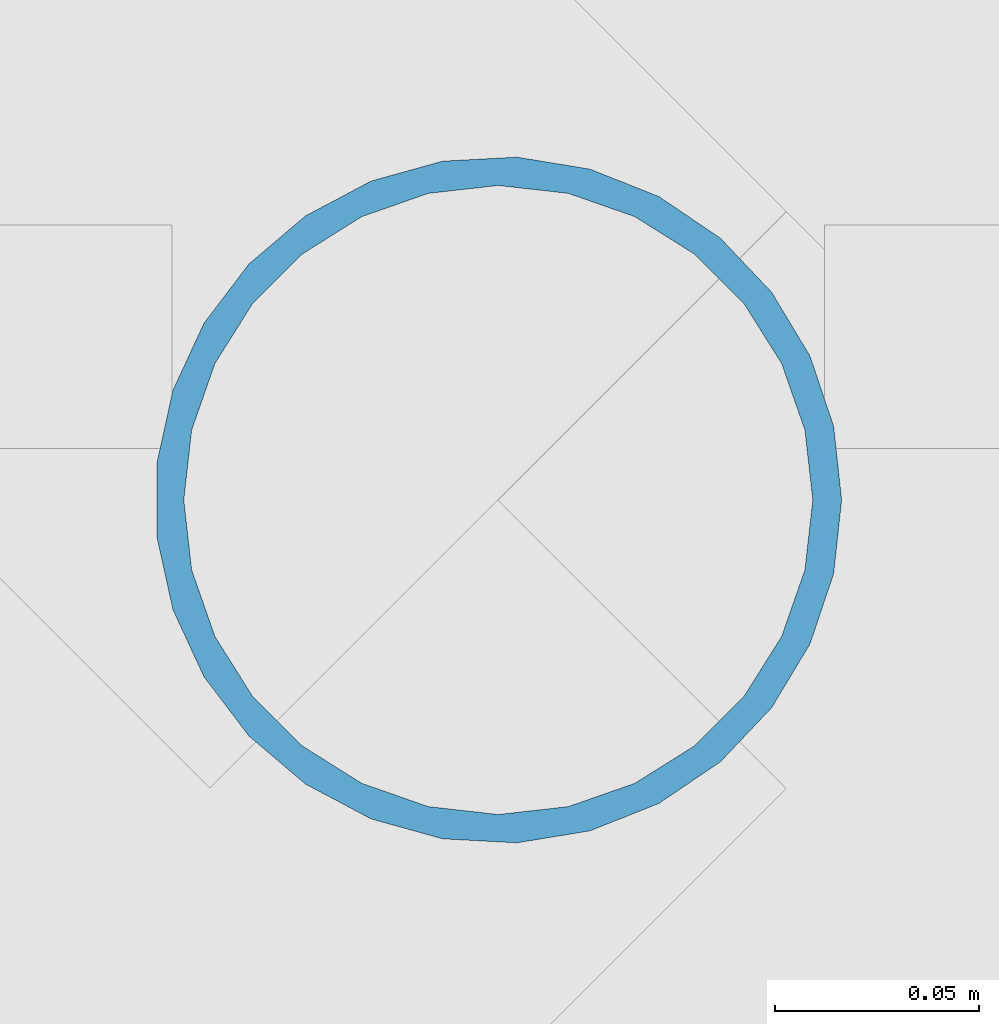
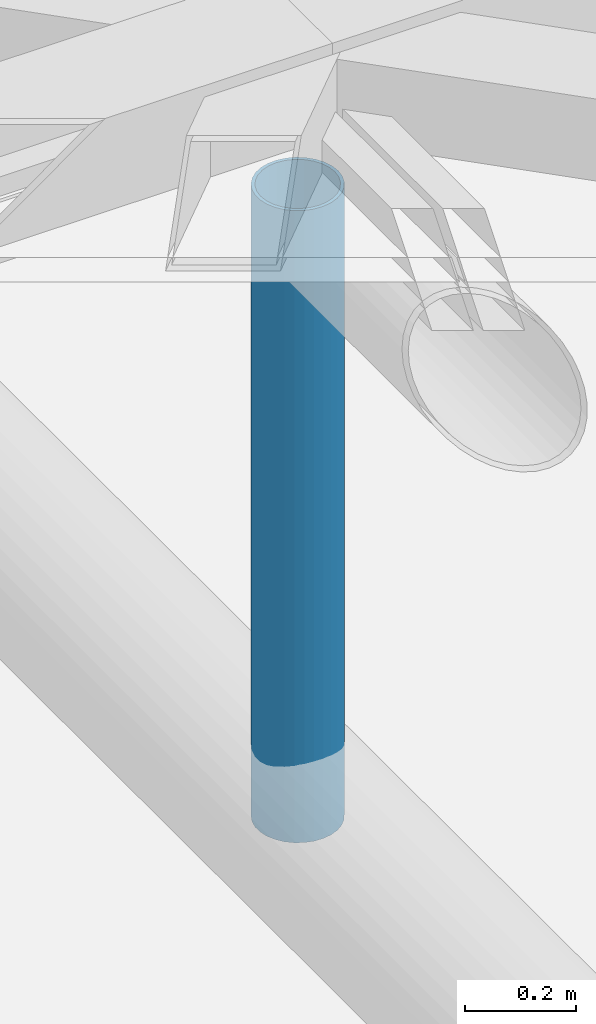
# One storey, part 31 of 80: 1 member.
"""IFC4 building model written with IfcOpenShell, lengths in metres."""

from ifc_helpers import new_model, si_unit, direction, frame, origin, origin_2d, place, context, subcontext, project, spatial, hollow_circle, extrude, material, material_profile, profile_set, type_object, element, save


model = new_model("IFC4")

# Units and contexts
model_context = context("Model", 3, precision=1e-05, world=origin(), true_north=direction((0.0, 1.0)))
body_context = subcontext(model_context, "Body", "Model", "MODEL_VIEW")
ifc_project = project(units=[si_unit("LENGTHUNIT", "METRE"), si_unit("AREAUNIT", "SQUARE_METRE"), si_unit("VOLUMEUNIT", "CUBIC_METRE"), si_unit("PLANEANGLEUNIT", "RADIAN"), si_unit("MASSUNIT", "GRAM", prefix="KILO"), si_unit("THERMODYNAMICTEMPERATUREUNIT", "KELVIN"), si_unit("POWERUNIT", "WATT")], contexts=[model_context])

# Site, building, storey
site_placement = place(None, origin())
site = spatial("IfcSite", under=ifc_project, at=site_placement, CompositionType="ELEMENT")
building_placement = place(site_placement, origin())
building = spatial("IfcBuilding", under=site, at=building_placement, Name="Tallowbark Science Centre", CompositionType="ELEMENT")
storey_placement = place(building_placement, frame((0.0, 0.0, 25.949951171875)))
storey = spatial("IfcBuildingStorey", under=building, at=storey_placement, Name="ROOF", CompositionType="ELEMENT", Elevation=25.949951171875)

# Member
ifc_material = material(Name="White Architectural Painted Steel Grade C350L0 (350 MPa)", Category="steel")
ifc_material_profile = material_profile(ifc_material, hollow_circle(Radius=0.084228515625, WallThickness=0.007080078125, at=origin_2d()), Name="168.3x7.1CHS")
ifc_profile_set = profile_set([ifc_material_profile], Name="White Architectural Painted Steel Grade C350L0 (350 MPa)")
member_type = type_object("IfcMemberType", Name="TR-WEB168", PredefinedType="BRACE", material=ifc_profile_set)
member_placement = place(storey_placement, frame((76.5, 22.5, -1.199951171875), z_axis=(0.0, 0.0, 1.0), x_axis=(1.0, 0.0, 0.0)))
element("IfcMember", 1, at=member_placement, inside=storey, type_object=member_type, Name="Exhibition Roof Truss Web 5-22.5", PredefinedType="BRACE", context=body_context, shape_type="SweptSolid", body=[
    extrude(hollow_circle(Radius=0.084228515625, WallThickness=0.007080078125, at=origin_2d()), origin(), (0.0, 0.0, 1.0), 1.389892578125),
])

save(model, "model.ifc")
